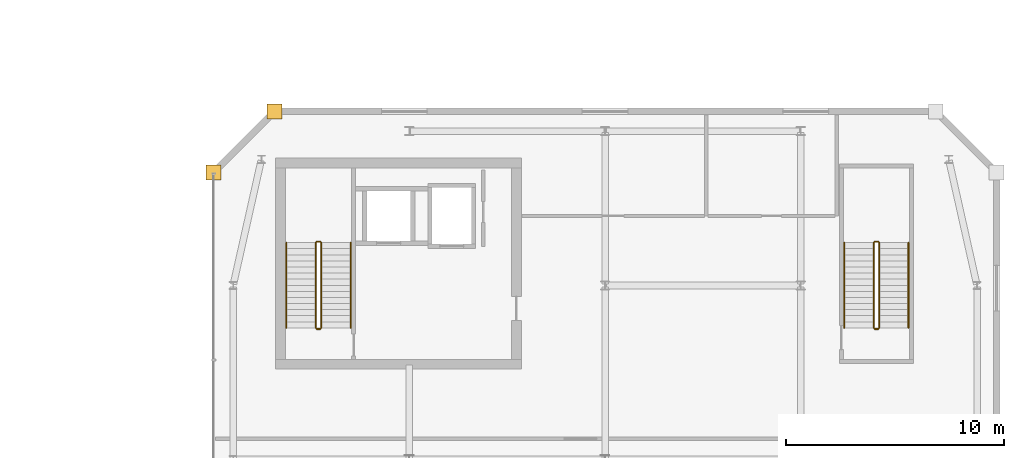
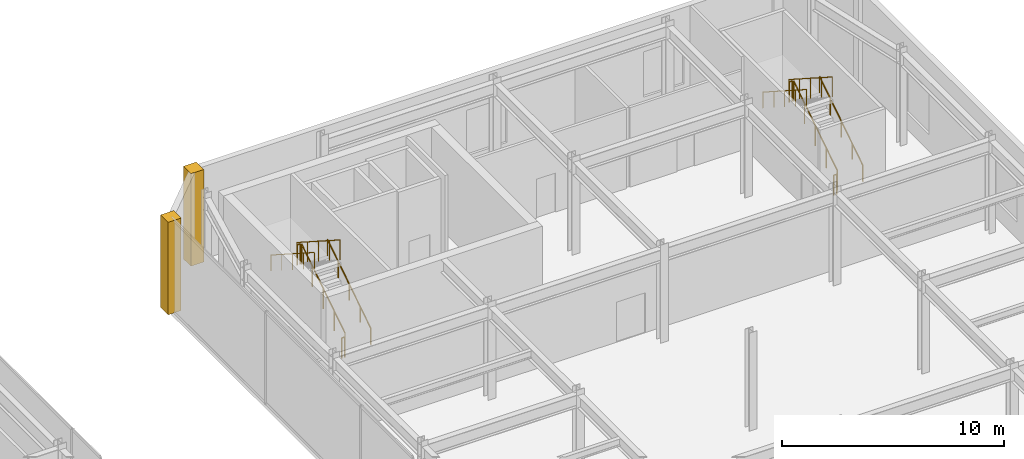
# One storey, part 50 of 51: 12 railings, 2 coverings.
"""IFC4 building model written with IfcOpenShell, lengths in metres."""

import ifcopenshell
import ifcopenshell.guid

model = None  # the IFC model being written
_history = None  # IfcOwnerHistory: only IFC2X3 demands one
_inside = {}  # id of a spatial element -> (the spatial element, [elements in it])
_under = {}  # id of a project, library or spatial element -> (it, [spatial elements below it])
_declared = {}  # id of a project -> (the project, [libraries it declares])
_typed = {}  # id of a type object -> (the type object, [elements of that type])
_made_of = {}  # id of a material, layer set ... -> (it, [elements and type objects made of it])


def new_model(schema):
    """Start an empty IFC model of exactly this schema.

    Asked for "IFC4X3", IfcOpenShell would pick the latest addendum, in which some entities
    have other attributes; the version numbers below select the first issue.
    IFC2X3 requires an IfcOwnerHistory on every rooted entity: one is made here for all.
    """
    global model, _history
    if schema == "IFC4X3":
        model = ifcopenshell.file(schema_version=(4, 3, 0, 0))
    else:
        model = ifcopenshell.file(schema=schema)
    _inside.clear()
    _under.clear()
    _declared.clear()
    _typed.clear()
    _made_of.clear()
    _history = None
    if model.schema == "IFC2X3":
        org = make("IfcOrganization", Name="unknown")
        user = make(
            "IfcPersonAndOrganization",
            ThePerson=make("IfcPerson", FamilyName="unknown"),
            TheOrganization=org,
        )
        app = make(
            "IfcApplication",
            ApplicationDeveloper=org,
            Version="unknown",
            ApplicationFullName="unknown",
            ApplicationIdentifier="unknown",
        )
        _history = make(
            "IfcOwnerHistory",
            OwningUser=user,
            OwningApplication=app,
            ChangeAction="ADDED",
            CreationDate=0,
        )
    return model


def make(cls, **values):
    """One entity of the class cls with the attributes given. An attribute that is None is left unset."""
    return model.create_entity(
        cls, **{name: value for name, value in values.items() if value is not None}
    )


def rooted(cls, **values):
    """An entity with a GlobalId (a new one), such as an element, a storey or a relation."""
    return make(cls, GlobalId=ifcopenshell.guid.new(), OwnerHistory=_history, **values)


def si_unit(unit_type, name, prefix=None):
    """IfcSIUnit, for example si_unit("LENGTHUNIT", "METRE", prefix="MILLI")."""
    return make("IfcSIUnit", UnitType=unit_type, Prefix=prefix, Name=name)


def assignment(units):
    """IfcUnitAssignment: the units of a project."""
    return None if units is None else make("IfcUnitAssignment", Units=units)


def point(xyz):
    """IfcCartesianPoint."""
    return None if xyz is None else make("IfcCartesianPoint", Coordinates=xyz)


def direction(xyz):
    """IfcDirection."""
    return None if xyz is None else make("IfcDirection", DirectionRatios=xyz)


def frame(location, z_axis=None, x_axis=None):
    """IfcAxis2Placement3D, a coordinate frame: its origin and axes. An axis left out is left unset."""
    return make(
        "IfcAxis2Placement3D",
        Location=point(location),
        Axis=direction(z_axis),
        RefDirection=direction(x_axis),
    )


def frame_2d(location, x_axis=None):
    """IfcAxis2Placement2D, a coordinate frame in the plane: its origin and x axis."""
    return make(
        "IfcAxis2Placement2D", Location=point(location), RefDirection=direction(x_axis)
    )


def origin():
    """The frame at (0, 0, 0) with its axes left unset."""
    return frame((0.0, 0.0, 0.0))


def origin_2d():
    """The frame at (0, 0) in the plane with its x axis left unset."""
    return frame_2d((0.0, 0.0))


def place(relative_to, where):
    """IfcLocalPlacement: puts the frame where relative to a parent placement (None: the world)."""
    return make(
        "IfcLocalPlacement", PlacementRelTo=relative_to, RelativePlacement=where
    )


def context(
    kind, dimensions, precision=None, world=None, true_north=None, identifier=None
):
    """IfcGeometricRepresentationContext, for example the 3D "Model" context."""
    return make(
        "IfcGeometricRepresentationContext",
        ContextIdentifier=identifier,
        ContextType=kind,
        CoordinateSpaceDimension=dimensions,
        Precision=precision,
        WorldCoordinateSystem=world,
        TrueNorth=true_north,
    )


def subcontext(parent, identifier, kind, view, scale=None):
    """IfcGeometricRepresentationSubContext, for example "Body" below "Model"."""
    return make(
        "IfcGeometricRepresentationSubContext",
        ContextIdentifier=identifier,
        ContextType=kind,
        ParentContext=parent,
        TargetScale=scale,
        TargetView=view,
    )


def project(units=None, contexts=None):
    """IfcProject with its units and contexts."""
    return rooted(
        "IfcProject",
        Name="project",
        RepresentationContexts=contexts,
        UnitsInContext=assignment(units),
    )


def spatial(cls, under=None, at=None, **own):
    """A site, building, storey or space (cls), placed at a placement, below another one or the project."""
    s = rooted(cls, ObjectPlacement=at, **own)
    if under is not None:
        _under.setdefault(under.id(), (under, []))[1].append(s)
    return s


def polyline(points):
    """IfcPolyline through the points."""
    return make("IfcPolyline", Points=[point(p) for p in points])


def profile(cls, at=None, kind="AREA", **sizes):
    """A parametric profile (cls). Its sizes go by their IFC names, for example OverallWidth=200.0."""
    return make(cls, ProfileType=kind, Position=at, **sizes)


def circle(**sizes):
    """IfcCircleProfileDef."""
    return profile("IfcCircleProfileDef", **sizes)


def outline(outer, holes=None, kind="AREA"):
    """IfcArbitraryClosedProfileDef: a profile drawn as a closed curve; with holes, ...WithVoids."""
    if holes is None:
        return make("IfcArbitraryClosedProfileDef", ProfileType=kind, OuterCurve=outer)
    return make(
        "IfcArbitraryProfileDefWithVoids",
        ProfileType=kind,
        OuterCurve=outer,
        InnerCurves=holes,
    )


def extrude(swept, where, along, depth):
    """IfcExtrudedAreaSolid: the profile swept, set in the frame where, extruded along a direction by depth."""
    return make(
        "IfcExtrudedAreaSolid",
        SweptArea=swept,
        Position=where,
        ExtrudedDirection=direction(along),
        Depth=depth,
    )


def shape(context_of_items, identifier, shape_type, items):
    """IfcShapeRepresentation: the items that make up one representation, for example the "Body"."""
    return make(
        "IfcShapeRepresentation",
        ContextOfItems=context_of_items,
        RepresentationIdentifier=identifier,
        RepresentationType=shape_type,
        Items=items,
    )


def material(Name=None, Category=None):
    """IfcMaterial."""
    return make("IfcMaterial", Name=Name, Category=Category)


def layer(
    of_material, thickness, ventilated=None, Name=None, Category=None, Priority=None
):
    """IfcMaterialLayer: one layer of a wall or slab, of a material (None: an air gap)."""
    return make(
        "IfcMaterialLayer",
        Material=of_material,
        LayerThickness=thickness,
        IsVentilated=ventilated,
        Name=Name,
        Category=Category,
        Priority=Priority,
    )


def layer_set(layers, Name=None):
    """IfcMaterialLayerSet."""
    return make("IfcMaterialLayerSet", MaterialLayers=layers, LayerSetName=Name)


def made_of(thing, what):
    """Note that an element or type object is made of a material, layer set ...; save() writes the relation."""
    if what is not None:
        _made_of.setdefault(what.id(), (what, []))[1].append(thing)
    return thing


def type_object(cls, material=None, **own):
    """A type object (cls), such as IfcWallType, which elements share."""
    return made_of(rooted(cls, **own), material)


def element(
    cls,
    number,
    at=None,
    inside=None,
    cuts=None,
    type_object=None,
    material=None,
    context=None,
    identifier="Body",
    shape_type=None,
    held_by="IfcProductDefinitionShape",
    body=None,
    shapes=None,
    **own,
):
    """One element of the class cls, such as IfcWall. Its Tag is "e" and its number.

    at: its placement. inside: the storey or other place that contains it. cuts: it is an
    opening in that element (IfcRelVoidsElement). A single representation is given by context,
    identifier, shape_type and body (its items); several are given by shapes. held_by: the class
    of the entity that holds the representations. save() writes the other relations.
    """
    e = rooted(cls, Tag="e%d" % number, ObjectPlacement=at, **own)
    if body is not None:
        shapes = [shape(context, identifier, shape_type, body)]
    if shapes is not None:
        e.Representation = make(held_by, Representations=shapes)
    if inside is not None:
        _inside.setdefault(inside.id(), (inside, []))[1].append(e)
    if cuts is not None:
        rooted(
            "IfcRelVoidsElement", RelatingBuildingElement=cuts, RelatedOpeningElement=e
        )
    if type_object is not None:
        _typed.setdefault(type_object.id(), (type_object, []))[1].append(e)
    return made_of(e, material)


def aggregate(whole, parts):
    """IfcRelAggregates: a whole, such as a stair, and the parts it consists of."""
    return rooted("IfcRelAggregates", RelatingObject=whole, RelatedObjects=parts)


def save(model, path):
    """Write the relations noted so far, then the file.

    IfcRelAggregates (storeys below a building ...), IfcRelContainedInSpatialStructure (elements
    in a storey), IfcRelDefinesByType, IfcRelAssociatesMaterial and IfcRelDeclares: one each for
    every whole, place, type object, material and project.
    """
    for whole, parts in _under.values():
        aggregate(whole, parts)
    for where, things in _inside.values():
        rooted(
            "IfcRelContainedInSpatialStructure",
            RelatedElements=things,
            RelatingStructure=where,
        )
    for kind, things in _typed.values():
        rooted("IfcRelDefinesByType", RelatedObjects=things, RelatingType=kind)
    for what, things in _made_of.values():
        rooted("IfcRelAssociatesMaterial", RelatedObjects=things, RelatingMaterial=what)
    for by, libraries in _declared.values():
        rooted("IfcRelDeclares", RelatingContext=by, RelatedDefinitions=libraries)
    model.write(path)


model = new_model("IFC4")

# Units and contexts
model_context = context("Model", 3, precision=1e-05, world=origin(), true_north=direction((0.0, 1.0)))
body_context = subcontext(model_context, "Body", "Model", "MODEL_VIEW")
ifc_project = project(units=[si_unit("LENGTHUNIT", "METRE"), si_unit("AREAUNIT", "SQUARE_METRE"), si_unit("VOLUMEUNIT", "CUBIC_METRE"), si_unit("PLANEANGLEUNIT", "RADIAN"), si_unit("MASSUNIT", "GRAM", prefix="KILO")], contexts=[model_context])

# Site, building, storey
site_placement = place(None, origin())
site = spatial("IfcSite", under=ifc_project, at=site_placement, CompositionType="ELEMENT")
building_placement = place(site_placement, origin())
building = spatial("IfcBuilding", under=site, at=building_placement, Name="Saevonmaru Cultural Tower", CompositionType="ELEMENT")
storey_placement = place(building_placement, frame((0.0, 0.0, 6.0)))
storey = spatial("IfcBuildingStorey", under=building, at=storey_placement, Name="L01", CompositionType="ELEMENT", Elevation=6.0)

# Coverings
ifc_material_1 = material(Name="Satin Bronze Anodised Aluminium", Category="aluminium")
ifc_layer = layer(ifc_material_1, 0.679931640625, Name="Satin Bronze Anodised Aluminium")
ifc_layer_set = layer_set([ifc_layer], Name="Satin Bronze Anodised Aluminium")
covering_type = type_object("IfcCoveringType", Name="CV-CORNER-CLAD", PredefinedType="CLADDING", material=ifc_layer_set)
covering_1_placement = place(storey_placement, origin())
element("IfcCovering", 1, at=covering_1_placement, inside=storey, type_object=covering_type, Name="L01 Library Bronze Corner Cladding Pier 7", PredefinedType="CLADDING", context=body_context, shape_type="SweptSolid", body=[
    extrude(outline(polyline([(74.659912109375, 47.659912109375), (75.340087890625, 47.659912109375), (75.340087890625, 48.340087890625), (74.659912109375, 48.340087890625), (74.659912109375, 47.659912109375)])), origin(), (0.0, 0.0, 1.0), 5.10009765625),
])
covering_2_placement = place(storey_placement, origin())
element("IfcCovering", 2, at=covering_2_placement, inside=storey, type_object=covering_type, Name="L01 Library Bronze Corner Cladding Pier 8", PredefinedType="CLADDING", context=body_context, shape_type="SweptSolid", body=[
    extrude(outline(polyline([(71.860107421875, 44.860107421875), (72.5400390625, 44.860107421875), (72.5400390625, 45.5400390625), (71.860107421875, 45.5400390625), (71.860107421875, 44.860107421875)])), origin(), (0.0, 0.0, 1.0), 5.10009765625),
])

# Railings
ifc_material_2 = material(Name="Architectural Painted Steel", Category="steel")
railing_type_1 = type_object("IfcRailingType", Name="RL-STAIR-GUARD", PredefinedType="GUARDRAIL", material=ifc_material_2)
railing_1_placement = place(storey_placement, frame((77.14990234375, 38.050048828125, 0.179931640625)))
element("IfcRailing", 3, at=railing_1_placement, inside=storey, type_object=railing_type_1, Name="L01 LST-1 stair guard 1", PredefinedType="GUARDRAIL", context=body_context, shape_type="SweptSolid", body=[
    extrude(circle(Radius=0.02392578125, at=origin_2d()), frame((0.0, 0.0, 1.09619140625), z_axis=(0.0, 0.841171666519, 0.540768182723), x_axis=(-1.0, 0.0, 0.0)), (0.0, 0.0, 1.0), 4.66015625),
    extrude(circle(Radius=0.02099609375, at=origin_2d()), origin(), (0.0, 0.0, 1.0), 1.072021484375),
    extrude(circle(Radius=0.02099609375, at=origin_2d()), frame((0.0, 0.97998046875, 0.6298828125)), (0.0, 0.0, 1.0), 1.072021484375),
    extrude(circle(Radius=0.02099609375, at=origin_2d()), frame((0.0, 1.9599609375, 1.260009765625)), (0.0, 0.0, 1.0), 1.072021484375),
    extrude(circle(Radius=0.02099609375, at=origin_2d()), frame((0.0, 2.93994140625, 1.89013671875)), (0.0, 0.0, 1.0), 1.072021484375),
    extrude(circle(Radius=0.02099609375, at=origin_2d()), frame((0.0, 3.919921875, 2.52001953125)), (0.0, 0.0, 1.0), 1.072021484375),
])
railing_2_placement = place(storey_placement, frame((77.10009765625, 42.02001953125, 2.699951171875)))
element("IfcRailing", 4, at=railing_2_placement, inside=storey, type_object=railing_type_1, Name="L01 LST-1 stair guard 2", PredefinedType="GUARDRAIL", context=body_context, shape_type="SweptSolid", body=[
    extrude(circle(Radius=0.02392578125, at=origin_2d()), frame((0.0, 0.0, 1.09619140625), z_axis=(-1.0, 0.0, 0.0), x_axis=(0.0, -1.0, 0.0)), (0.0, 0.0, 1.0), 0.150146484375),
    extrude(circle(Radius=0.02099609375, at=origin_2d()), origin(), (0.0, 0.0, 1.0), 1.072021484375),
    extrude(circle(Radius=0.02099609375, at=origin_2d()), frame((-0.150146484375, 0.0, 0.0)), (0.0, 0.0, 1.0), 1.072021484375),
])
railing_3_placement = place(storey_placement, frame((76.89990234375, 41.969970703125, 2.8798828125)))
element("IfcRailing", 5, at=railing_3_placement, inside=storey, type_object=railing_type_1, Name="L01 LST-1 stair guard 3", PredefinedType="GUARDRAIL", context=body_context, shape_type="SweptSolid", body=[
    extrude(circle(Radius=0.02392578125, at=origin_2d()), frame((0.0, 0.0, 1.09619140625), z_axis=(0.0, -0.841171666519, 0.540768182723), x_axis=(1.0, 0.0, 0.0)), (0.0, 0.0, 1.0), 4.66015625),
    extrude(circle(Radius=0.02099609375, at=origin_2d()), origin(), (0.0, 0.0, 1.0), 1.072021484375),
    extrude(circle(Radius=0.02099609375, at=origin_2d()), frame((0.0, -0.97998046875, 0.6298828125)), (0.0, 0.0, 1.0), 1.072021484375),
    extrude(circle(Radius=0.02099609375, at=origin_2d()), frame((0.0, -1.9599609375, 1.260009765625)), (0.0, 0.0, 1.0), 1.072021484375),
    extrude(circle(Radius=0.02099609375, at=origin_2d()), frame((0.0, -2.93994140625, 1.89013671875)), (0.0, 0.0, 1.0), 1.072021484375),
    extrude(circle(Radius=0.02099609375, at=origin_2d()), frame((0.0, -3.919921875, 2.52001953125)), (0.0, 0.0, 1.0), 1.072021484375),
])
railing_4_placement = place(storey_placement, frame((77.10009765625, 38.0, 0.0)))
element("IfcRailing", 6, at=railing_4_placement, inside=storey, type_object=railing_type_1, Name="L01 LST-1 stair guard 4", PredefinedType="GUARDRAIL", context=body_context, shape_type="SweptSolid", body=[
    extrude(circle(Radius=0.02392578125, at=origin_2d()), frame((0.0, 0.0, 1.09619140625), z_axis=(-1.0, 0.0, 0.0), x_axis=(0.0, -1.0, 0.0)), (0.0, 0.0, 1.0), 0.150146484375),
    extrude(circle(Radius=0.02099609375, at=origin_2d()), origin(), (0.0, 0.0, 1.0), 1.072021484375),
    extrude(circle(Radius=0.02099609375, at=origin_2d()), frame((-0.150146484375, 0.0, 0.0)), (0.0, 0.0, 1.0), 1.072021484375),
])
railing_5_placement = place(storey_placement, frame((102.800048828125, 38.050048828125, 0.179931640625)))
element("IfcRailing", 7, at=railing_5_placement, inside=storey, type_object=railing_type_1, Name="L01 LST-2 stair guard 1", PredefinedType="GUARDRAIL", context=body_context, shape_type="SweptSolid", body=[
    extrude(circle(Radius=0.02392578125, at=origin_2d()), frame((0.0, 0.0, 1.09619140625), z_axis=(0.0, 0.841171666519, 0.540768182723), x_axis=(-1.0, 0.0, 0.0)), (0.0, 0.0, 1.0), 4.66015625),
    extrude(circle(Radius=0.02099609375, at=origin_2d()), origin(), (0.0, 0.0, 1.0), 1.072021484375),
    extrude(circle(Radius=0.02099609375, at=origin_2d()), frame((0.0, 0.97998046875, 0.6298828125)), (0.0, 0.0, 1.0), 1.072021484375),
    extrude(circle(Radius=0.02099609375, at=origin_2d()), frame((0.0, 1.9599609375, 1.260009765625)), (0.0, 0.0, 1.0), 1.072021484375),
    extrude(circle(Radius=0.02099609375, at=origin_2d()), frame((0.0, 2.93994140625, 1.89013671875)), (0.0, 0.0, 1.0), 1.072021484375),
    extrude(circle(Radius=0.02099609375, at=origin_2d()), frame((0.0, 3.919921875, 2.52001953125)), (0.0, 0.0, 1.0), 1.072021484375),
])
railing_6_placement = place(storey_placement, frame((102.75, 42.02001953125, 2.699951171875)))
element("IfcRailing", 8, at=railing_6_placement, inside=storey, type_object=railing_type_1, Name="L01 LST-2 stair guard 2", PredefinedType="GUARDRAIL", context=body_context, shape_type="SweptSolid", body=[
    extrude(circle(Radius=0.02392578125, at=origin_2d()), frame((0.0, 0.0, 1.09619140625), z_axis=(-1.0, 0.0, 0.0), x_axis=(0.0, -1.0, 0.0)), (0.0, 0.0, 1.0), 0.14990234375),
    extrude(circle(Radius=0.02099609375, at=origin_2d()), origin(), (0.0, 0.0, 1.0), 1.072021484375),
    extrude(circle(Radius=0.02099609375, at=origin_2d()), frame((-0.14990234375, 0.0, 0.0)), (0.0, 0.0, 1.0), 1.072021484375),
])
railing_7_placement = place(storey_placement, frame((102.550048828125, 41.969970703125, 2.8798828125)))
element("IfcRailing", 9, at=railing_7_placement, inside=storey, type_object=railing_type_1, Name="L01 LST-2 stair guard 3", PredefinedType="GUARDRAIL", context=body_context, shape_type="SweptSolid", body=[
    extrude(circle(Radius=0.02392578125, at=origin_2d()), frame((0.0, 0.0, 1.09619140625), z_axis=(0.0, -0.841171666519, 0.540768182723), x_axis=(1.0, 0.0, 0.0)), (0.0, 0.0, 1.0), 4.66015625),
    extrude(circle(Radius=0.02099609375, at=origin_2d()), origin(), (0.0, 0.0, 1.0), 1.072021484375),
    extrude(circle(Radius=0.02099609375, at=origin_2d()), frame((0.0, -0.97998046875, 0.6298828125)), (0.0, 0.0, 1.0), 1.072021484375),
    extrude(circle(Radius=0.02099609375, at=origin_2d()), frame((0.0, -1.9599609375, 1.260009765625)), (0.0, 0.0, 1.0), 1.072021484375),
    extrude(circle(Radius=0.02099609375, at=origin_2d()), frame((0.0, -2.93994140625, 1.89013671875)), (0.0, 0.0, 1.0), 1.072021484375),
    extrude(circle(Radius=0.02099609375, at=origin_2d()), frame((0.0, -3.919921875, 2.52001953125)), (0.0, 0.0, 1.0), 1.072021484375),
])
railing_8_placement = place(storey_placement, frame((102.75, 38.0, 0.0)))
element("IfcRailing", 10, at=railing_8_placement, inside=storey, type_object=railing_type_1, Name="L01 LST-2 stair guard 4", PredefinedType="GUARDRAIL", context=body_context, shape_type="SweptSolid", body=[
    extrude(circle(Radius=0.02392578125, at=origin_2d()), frame((0.0, 0.0, 1.09619140625), z_axis=(-1.0, 0.0, 0.0), x_axis=(0.0, -1.0, 0.0)), (0.0, 0.0, 1.0), 0.14990234375),
    extrude(circle(Radius=0.02099609375, at=origin_2d()), origin(), (0.0, 0.0, 1.0), 1.072021484375),
    extrude(circle(Radius=0.02099609375, at=origin_2d()), frame((-0.14990234375, 0.0, 0.0)), (0.0, 0.0, 1.0), 1.072021484375),
])
railing_type_2 = type_object("IfcRailingType", Name="RL-STAIR-HANDRAIL", PredefinedType="HANDRAIL", material=ifc_material_1)
railing_9_placement = place(storey_placement, frame((78.5, 38.050048828125, 0.179931640625)))
element("IfcRailing", 11, at=railing_9_placement, inside=storey, type_object=railing_type_2, Name="L01 LST-1 stair handrail 1", PredefinedType="HANDRAIL", context=body_context, shape_type="SweptSolid", body=[
    extrude(circle(Radius=0.02392578125, at=origin_2d()), frame((0.0, 0.0, 0.8759765625), z_axis=(0.0, 0.841171666519, 0.540768182723), x_axis=(-1.0, 0.0, 0.0)), (0.0, 0.0, 1.0), 4.66015625),
    extrude(circle(Radius=0.02099609375, at=origin_2d()), origin(), (0.0, 0.0, 1.0), 0.851806640625),
    extrude(circle(Radius=0.02099609375, at=origin_2d()), frame((0.0, 0.97998046875, 0.6298828125)), (0.0, 0.0, 1.0), 0.851806640625),
    extrude(circle(Radius=0.02099609375, at=origin_2d()), frame((0.0, 1.9599609375, 1.260009765625)), (0.0, 0.0, 1.0), 0.851806640625),
    extrude(circle(Radius=0.02099609375, at=origin_2d()), frame((0.0, 2.93994140625, 1.89013671875)), (0.0, 0.0, 1.0), 0.851806640625),
    extrude(circle(Radius=0.02099609375, at=origin_2d()), frame((0.0, 3.919921875, 2.52001953125)), (0.0, 0.0, 1.0), 0.851806640625),
])
railing_10_placement = place(storey_placement, frame((75.550048828125, 41.969970703125, 2.8798828125)))
element("IfcRailing", 12, at=railing_10_placement, inside=storey, type_object=railing_type_2, Name="L01 LST-1 stair handrail 2", PredefinedType="HANDRAIL", context=body_context, shape_type="SweptSolid", body=[
    extrude(circle(Radius=0.02392578125, at=origin_2d()), frame((0.0, 0.0, 0.8759765625), z_axis=(0.0, -0.841171666519, 0.540768182723), x_axis=(1.0, 0.0, 0.0)), (0.0, 0.0, 1.0), 4.66015625),
    extrude(circle(Radius=0.02099609375, at=origin_2d()), origin(), (0.0, 0.0, 1.0), 0.851806640625),
    extrude(circle(Radius=0.02099609375, at=origin_2d()), frame((0.0, -0.97998046875, 0.6298828125)), (0.0, 0.0, 1.0), 0.851806640625),
    extrude(circle(Radius=0.02099609375, at=origin_2d()), frame((0.0, -1.9599609375, 1.260009765625)), (0.0, 0.0, 1.0), 0.851806640625),
    extrude(circle(Radius=0.02099609375, at=origin_2d()), frame((0.0, -2.93994140625, 1.89013671875)), (0.0, 0.0, 1.0), 0.851806640625),
    extrude(circle(Radius=0.02099609375, at=origin_2d()), frame((0.0, -3.919921875, 2.52001953125)), (0.0, 0.0, 1.0), 0.851806640625),
])
railing_11_placement = place(storey_placement, frame((104.14990234375, 38.050048828125, 0.179931640625)))
element("IfcRailing", 13, at=railing_11_placement, inside=storey, type_object=railing_type_2, Name="L01 LST-2 stair handrail 1", PredefinedType="HANDRAIL", context=body_context, shape_type="SweptSolid", body=[
    extrude(circle(Radius=0.02392578125, at=origin_2d()), frame((0.0, 0.0, 0.8759765625), z_axis=(0.0, 0.841171666519, 0.540768182723), x_axis=(-1.0, 0.0, 0.0)), (0.0, 0.0, 1.0), 4.66015625),
    extrude(circle(Radius=0.02099609375, at=origin_2d()), origin(), (0.0, 0.0, 1.0), 0.851806640625),
    extrude(circle(Radius=0.02099609375, at=origin_2d()), frame((0.0, 0.97998046875, 0.6298828125)), (0.0, 0.0, 1.0), 0.851806640625),
    extrude(circle(Radius=0.02099609375, at=origin_2d()), frame((0.0, 1.9599609375, 1.260009765625)), (0.0, 0.0, 1.0), 0.851806640625),
    extrude(circle(Radius=0.02099609375, at=origin_2d()), frame((0.0, 2.93994140625, 1.89013671875)), (0.0, 0.0, 1.0), 0.851806640625),
    extrude(circle(Radius=0.02099609375, at=origin_2d()), frame((0.0, 3.919921875, 2.52001953125)), (0.0, 0.0, 1.0), 0.851806640625),
])
railing_12_placement = place(storey_placement, frame((101.199951171875, 41.969970703125, 2.8798828125)))
element("IfcRailing", 14, at=railing_12_placement, inside=storey, type_object=railing_type_2, Name="L01 LST-2 stair handrail 2", PredefinedType="HANDRAIL", context=body_context, shape_type="SweptSolid", body=[
    extrude(circle(Radius=0.02392578125, at=origin_2d()), frame((0.0, 0.0, 0.8759765625), z_axis=(0.0, -0.841171666519, 0.540768182723), x_axis=(1.0, 0.0, 0.0)), (0.0, 0.0, 1.0), 4.66015625),
    extrude(circle(Radius=0.02099609375, at=origin_2d()), origin(), (0.0, 0.0, 1.0), 0.851806640625),
    extrude(circle(Radius=0.02099609375, at=origin_2d()), frame((0.0, -0.97998046875, 0.6298828125)), (0.0, 0.0, 1.0), 0.851806640625),
    extrude(circle(Radius=0.02099609375, at=origin_2d()), frame((0.0, -1.9599609375, 1.260009765625)), (0.0, 0.0, 1.0), 0.851806640625),
    extrude(circle(Radius=0.02099609375, at=origin_2d()), frame((0.0, -2.93994140625, 1.89013671875)), (0.0, 0.0, 1.0), 0.851806640625),
    extrude(circle(Radius=0.02099609375, at=origin_2d()), frame((0.0, -3.919921875, 2.52001953125)), (0.0, 0.0, 1.0), 0.851806640625),
])

save(model, "model.ifc")
